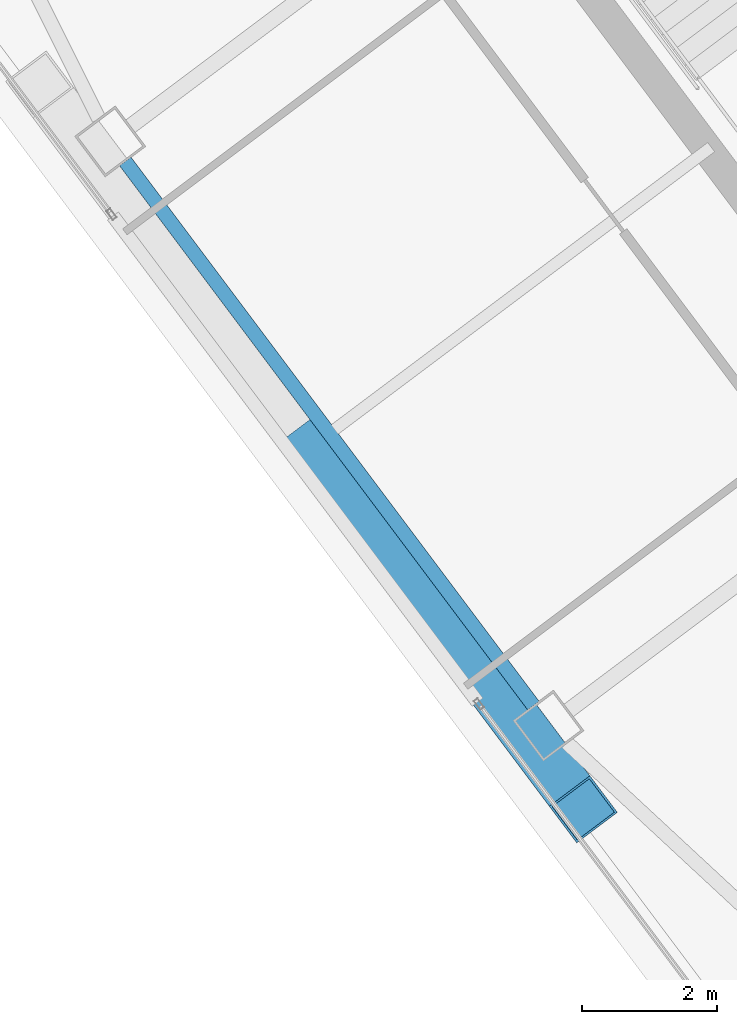
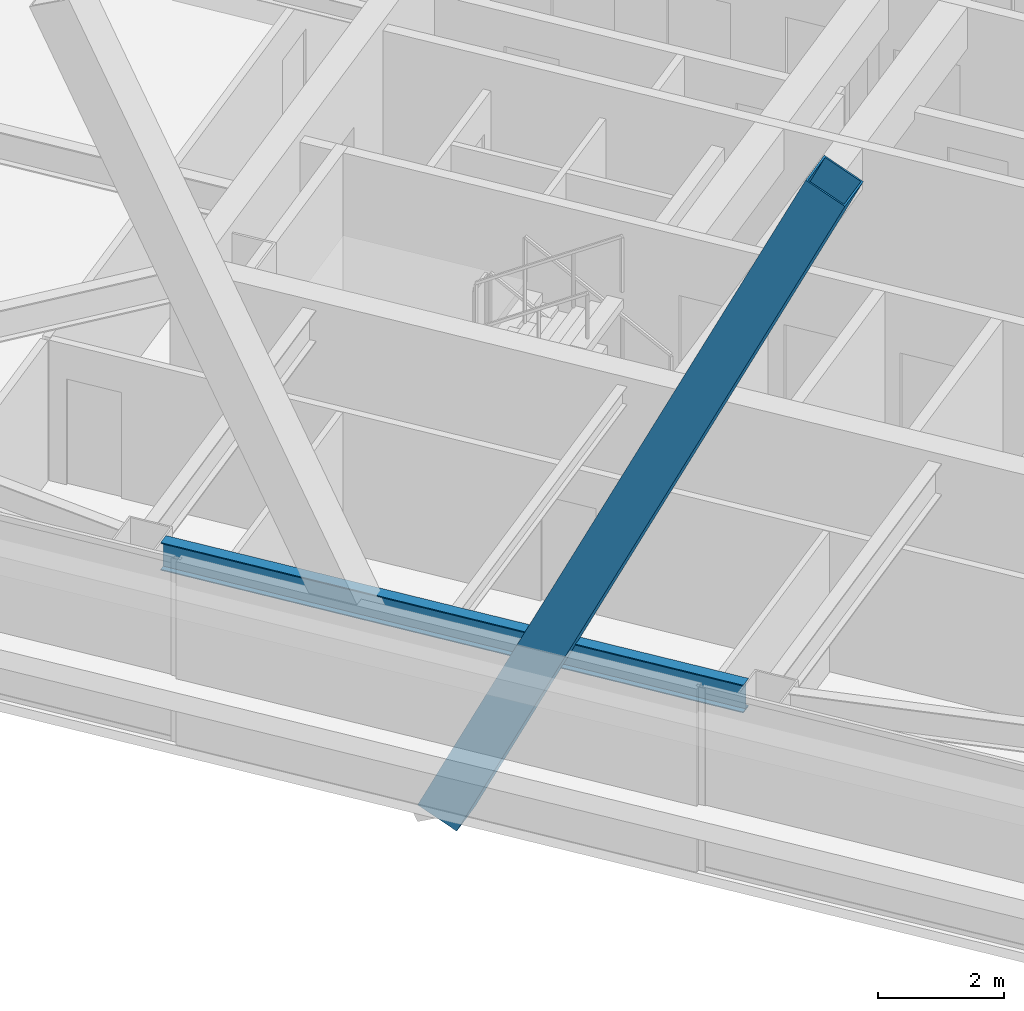
# One storey, part 18 of 47: 1 beam, 1 member.
"""IFC4 building model written with IfcOpenShell, lengths in metres."""

import ifcopenshell
import ifcopenshell.guid

model = None  # the IFC model being written
_history = None  # IfcOwnerHistory: only IFC2X3 demands one
_inside = {}  # id of a spatial element -> (the spatial element, [elements in it])
_under = {}  # id of a project, library or spatial element -> (it, [spatial elements below it])
_declared = {}  # id of a project -> (the project, [libraries it declares])
_typed = {}  # id of a type object -> (the type object, [elements of that type])
_made_of = {}  # id of a material, layer set ... -> (it, [elements and type objects made of it])


def new_model(schema):
    """Start an empty IFC model of exactly this schema.

    Asked for "IFC4X3", IfcOpenShell would pick the latest addendum, in which some entities
    have other attributes; the version numbers below select the first issue.
    IFC2X3 requires an IfcOwnerHistory on every rooted entity: one is made here for all.
    """
    global model, _history
    if schema == "IFC4X3":
        model = ifcopenshell.file(schema_version=(4, 3, 0, 0))
    else:
        model = ifcopenshell.file(schema=schema)
    _inside.clear()
    _under.clear()
    _declared.clear()
    _typed.clear()
    _made_of.clear()
    _history = None
    if model.schema == "IFC2X3":
        org = make("IfcOrganization", Name="unknown")
        user = make(
            "IfcPersonAndOrganization",
            ThePerson=make("IfcPerson", FamilyName="unknown"),
            TheOrganization=org,
        )
        app = make(
            "IfcApplication",
            ApplicationDeveloper=org,
            Version="unknown",
            ApplicationFullName="unknown",
            ApplicationIdentifier="unknown",
        )
        _history = make(
            "IfcOwnerHistory",
            OwningUser=user,
            OwningApplication=app,
            ChangeAction="ADDED",
            CreationDate=0,
        )
    return model


def make(cls, **values):
    """One entity of the class cls with the attributes given. An attribute that is None is left unset."""
    return model.create_entity(
        cls, **{name: value for name, value in values.items() if value is not None}
    )


def rooted(cls, **values):
    """An entity with a GlobalId (a new one), such as an element, a storey or a relation."""
    return make(cls, GlobalId=ifcopenshell.guid.new(), OwnerHistory=_history, **values)


def si_unit(unit_type, name, prefix=None):
    """IfcSIUnit, for example si_unit("LENGTHUNIT", "METRE", prefix="MILLI")."""
    return make("IfcSIUnit", UnitType=unit_type, Prefix=prefix, Name=name)


def assignment(units):
    """IfcUnitAssignment: the units of a project."""
    return None if units is None else make("IfcUnitAssignment", Units=units)


def point(xyz):
    """IfcCartesianPoint."""
    return None if xyz is None else make("IfcCartesianPoint", Coordinates=xyz)


def direction(xyz):
    """IfcDirection."""
    return None if xyz is None else make("IfcDirection", DirectionRatios=xyz)


def frame(location, z_axis=None, x_axis=None):
    """IfcAxis2Placement3D, a coordinate frame: its origin and axes. An axis left out is left unset."""
    return make(
        "IfcAxis2Placement3D",
        Location=point(location),
        Axis=direction(z_axis),
        RefDirection=direction(x_axis),
    )


def frame_2d(location, x_axis=None):
    """IfcAxis2Placement2D, a coordinate frame in the plane: its origin and x axis."""
    return make(
        "IfcAxis2Placement2D", Location=point(location), RefDirection=direction(x_axis)
    )


def origin():
    """The frame at (0, 0, 0) with its axes left unset."""
    return frame((0.0, 0.0, 0.0))


def origin_2d():
    """The frame at (0, 0) in the plane with its x axis left unset."""
    return frame_2d((0.0, 0.0))


def place(relative_to, where):
    """IfcLocalPlacement: puts the frame where relative to a parent placement (None: the world)."""
    return make(
        "IfcLocalPlacement", PlacementRelTo=relative_to, RelativePlacement=where
    )


def context(
    kind, dimensions, precision=None, world=None, true_north=None, identifier=None
):
    """IfcGeometricRepresentationContext, for example the 3D "Model" context."""
    return make(
        "IfcGeometricRepresentationContext",
        ContextIdentifier=identifier,
        ContextType=kind,
        CoordinateSpaceDimension=dimensions,
        Precision=precision,
        WorldCoordinateSystem=world,
        TrueNorth=true_north,
    )


def subcontext(parent, identifier, kind, view, scale=None):
    """IfcGeometricRepresentationSubContext, for example "Body" below "Model"."""
    return make(
        "IfcGeometricRepresentationSubContext",
        ContextIdentifier=identifier,
        ContextType=kind,
        ParentContext=parent,
        TargetScale=scale,
        TargetView=view,
    )


def project(units=None, contexts=None):
    """IfcProject with its units and contexts."""
    return rooted(
        "IfcProject",
        Name="project",
        RepresentationContexts=contexts,
        UnitsInContext=assignment(units),
    )


def spatial(cls, under=None, at=None, **own):
    """A site, building, storey or space (cls), placed at a placement, below another one or the project."""
    s = rooted(cls, ObjectPlacement=at, **own)
    if under is not None:
        _under.setdefault(under.id(), (under, []))[1].append(s)
    return s


def profile(cls, at=None, kind="AREA", **sizes):
    """A parametric profile (cls). Its sizes go by their IFC names, for example OverallWidth=200.0."""
    return make(cls, ProfileType=kind, Position=at, **sizes)


def hollow_rectangle(**sizes):
    """IfcRectangleHollowProfileDef."""
    return profile("IfcRectangleHollowProfileDef", **sizes)


def i_section(**sizes):
    """IfcIShapeProfileDef."""
    return profile("IfcIShapeProfileDef", **sizes)


def extrude(swept, where, along, depth):
    """IfcExtrudedAreaSolid: the profile swept, set in the frame where, extruded along a direction by depth."""
    return make(
        "IfcExtrudedAreaSolid",
        SweptArea=swept,
        Position=where,
        ExtrudedDirection=direction(along),
        Depth=depth,
    )


def shape(context_of_items, identifier, shape_type, items):
    """IfcShapeRepresentation: the items that make up one representation, for example the "Body"."""
    return make(
        "IfcShapeRepresentation",
        ContextOfItems=context_of_items,
        RepresentationIdentifier=identifier,
        RepresentationType=shape_type,
        Items=items,
    )


def material(Name=None, Category=None):
    """IfcMaterial."""
    return make("IfcMaterial", Name=Name, Category=Category)


def material_profile(
    of_material, cross_section, Name=None, Category=None, Priority=None
):
    """IfcMaterialProfile: a cross section and its material."""
    return make(
        "IfcMaterialProfile",
        Name=Name,
        Material=of_material,
        Profile=cross_section,
        Priority=Priority,
        Category=Category,
    )


def profile_set(profiles, Name=None, composite=None):
    """IfcMaterialProfileSet."""
    return make(
        "IfcMaterialProfileSet",
        Name=Name,
        MaterialProfiles=profiles,
        CompositeProfile=composite,
    )


def made_of(thing, what):
    """Note that an element or type object is made of a material, layer set ...; save() writes the relation."""
    if what is not None:
        _made_of.setdefault(what.id(), (what, []))[1].append(thing)
    return thing


def type_object(cls, material=None, **own):
    """A type object (cls), such as IfcWallType, which elements share."""
    return made_of(rooted(cls, **own), material)


def element(
    cls,
    number,
    at=None,
    inside=None,
    cuts=None,
    type_object=None,
    material=None,
    context=None,
    identifier="Body",
    shape_type=None,
    held_by="IfcProductDefinitionShape",
    body=None,
    shapes=None,
    **own,
):
    """One element of the class cls, such as IfcWall. Its Tag is "e" and its number.

    at: its placement. inside: the storey or other place that contains it. cuts: it is an
    opening in that element (IfcRelVoidsElement). A single representation is given by context,
    identifier, shape_type and body (its items); several are given by shapes. held_by: the class
    of the entity that holds the representations. save() writes the other relations.
    """
    e = rooted(cls, Tag="e%d" % number, ObjectPlacement=at, **own)
    if body is not None:
        shapes = [shape(context, identifier, shape_type, body)]
    if shapes is not None:
        e.Representation = make(held_by, Representations=shapes)
    if inside is not None:
        _inside.setdefault(inside.id(), (inside, []))[1].append(e)
    if cuts is not None:
        rooted(
            "IfcRelVoidsElement", RelatingBuildingElement=cuts, RelatedOpeningElement=e
        )
    if type_object is not None:
        _typed.setdefault(type_object.id(), (type_object, []))[1].append(e)
    return made_of(e, material)


def aggregate(whole, parts):
    """IfcRelAggregates: a whole, such as a stair, and the parts it consists of."""
    return rooted("IfcRelAggregates", RelatingObject=whole, RelatedObjects=parts)


def save(model, path):
    """Write the relations noted so far, then the file.

    IfcRelAggregates (storeys below a building ...), IfcRelContainedInSpatialStructure (elements
    in a storey), IfcRelDefinesByType, IfcRelAssociatesMaterial and IfcRelDeclares: one each for
    every whole, place, type object, material and project.
    """
    for whole, parts in _under.values():
        aggregate(whole, parts)
    for where, things in _inside.values():
        rooted(
            "IfcRelContainedInSpatialStructure",
            RelatedElements=things,
            RelatingStructure=where,
        )
    for kind, things in _typed.values():
        rooted("IfcRelDefinesByType", RelatedObjects=things, RelatingType=kind)
    for what, things in _made_of.values():
        rooted("IfcRelAssociatesMaterial", RelatedObjects=things, RelatingMaterial=what)
    for by, libraries in _declared.values():
        rooted("IfcRelDeclares", RelatingContext=by, RelatedDefinitions=libraries)
    model.write(path)


model = new_model("IFC4")

# Units and contexts
model_context = context("Model", 3, precision=1e-05, world=origin(), true_north=direction((0.0, 1.0)))
body_context = subcontext(model_context, "Body", "Model", "MODEL_VIEW")
ifc_project = project(units=[si_unit("LENGTHUNIT", "METRE"), si_unit("AREAUNIT", "SQUARE_METRE"), si_unit("VOLUMEUNIT", "CUBIC_METRE"), si_unit("PLANEANGLEUNIT", "RADIAN"), si_unit("MASSUNIT", "GRAM", prefix="KILO")], contexts=[model_context])

# Site, building, storey
site_placement = place(None, origin())
site = spatial("IfcSite", under=ifc_project, at=site_placement, CompositionType="ELEMENT")
building_placement = place(site_placement, origin())
building = spatial("IfcBuilding", under=site, at=building_placement, Name="Tashvorn Skyway Center", CompositionType="ELEMENT")
storey_placement = place(building_placement, frame((0.0, 0.0, 204.199951171875)))
storey = spatial("IfcBuildingStorey", under=building, at=storey_placement, Name="L55", CompositionType="ELEMENT", Elevation=204.199951171875)

# Beam
ifc_material_1 = material(Name="Steel ASTM A992 Grade 50", Category="steel")
ifc_material_profile_1 = material_profile(ifc_material_1, i_section(OverallWidth=0.2109375, OverallDepth=0.5390625, WebThickness=0.01171875, FlangeThickness=0.018798828125, at=origin_2d()), Name="W21X73")
ifc_profile_set_1 = profile_set([ifc_material_profile_1], Name="Steel ASTM A992 Grade 50")
beam_type = type_object("IfcBeamType", Name="BM-SPANDREL-W21X73", PredefinedType="SPANDREL", material=ifc_profile_set_1)
beam_placement = place(storey_placement, frame((99.10205078125, 27.114013671875, 3.1005859375), z_axis=(0.599988351091, -0.800008736549, 0.0), x_axis=(0.800008736549, 0.599988351091, 0.0)))
element("IfcBeam", 1, at=beam_placement, inside=storey, type_object=beam_type, Name="Tower 2 L55 Spandrel Beam 11", PredefinedType="SPANDREL", context=body_context, shape_type="SweptSolid", body=[
    extrude(i_section(OverallWidth=0.2109375, OverallDepth=0.5390625, WebThickness=0.01171875, FlangeThickness=0.018798828125, at=origin_2d()), origin(), (0.0, 0.0, 1.0), 10.06005859375),
])

# Member
ifc_material_2 = material(Name="Steel ASTM A572 Grade 50", Category="steel")
ifc_material_profile_2 = material_profile(ifc_material_2, hollow_rectangle(XDim=0.75, YDim=0.75, WallThickness=0.031982421875, at=origin_2d()), Name="BOX750x750x32")
ifc_profile_set_2 = profile_set([ifc_material_profile_2], Name="Steel ASTM A572 Grade 50")
member_type = type_object("IfcMemberType", Name="MEM-MB-750", PredefinedType="BRACE", material=ifc_profile_set_2)
member_placement = place(storey_placement, frame((101.85595703125, 22.89208984375, -0.199951171875), z_axis=(0.259765967761, -0.346359882315, 0.901419144414), x_axis=(0.800004372583, 0.599994169845, 0.0)))
element("IfcMember", 2, at=member_placement, inside=storey, type_object=member_type, Name="Tower 2 Zone 5 W Chevron Mega-Brace R1", PredefinedType="BRACE", context=body_context, shape_type="SweptSolid", body=[
    extrude(hollow_rectangle(XDim=0.75, YDim=0.75, WallThickness=0.031982421875, at=origin_2d()), origin(), (0.0, 0.0, 1.0), 15.4755859375),
])

save(model, "model.ifc")
